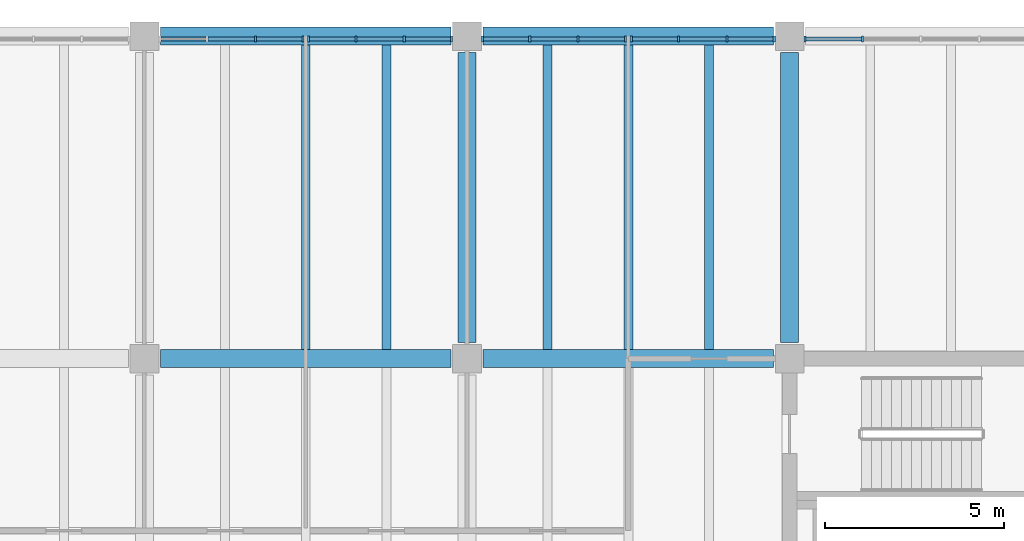
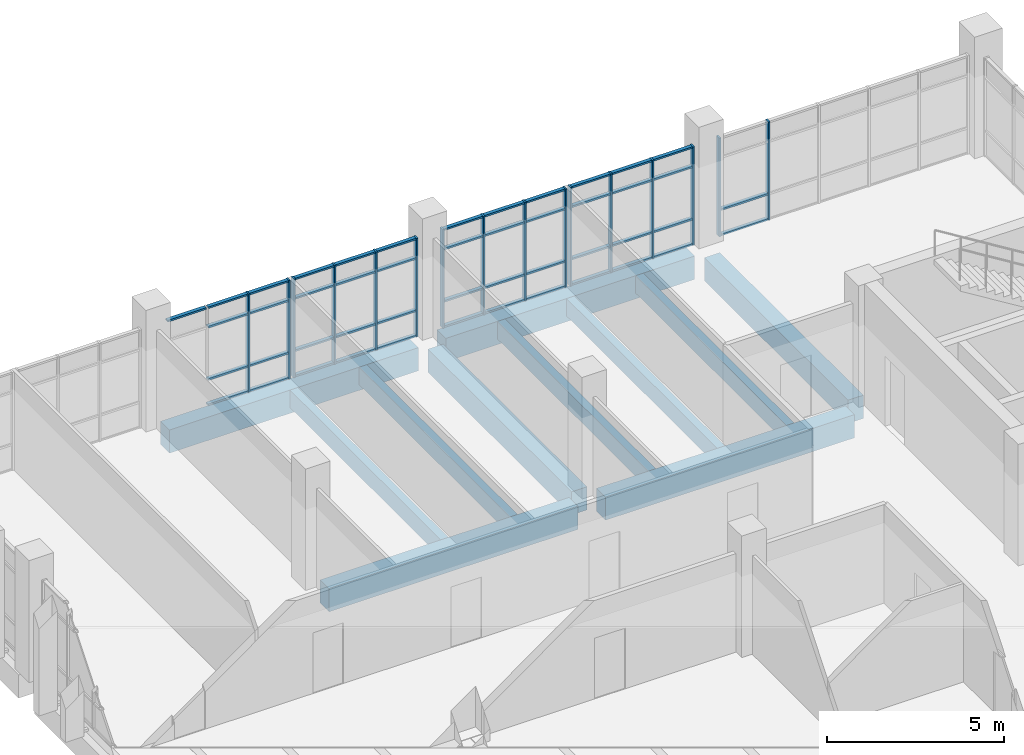
# One storey, part 19 of 50: 63 members, 11 beams, 5 elements without a shape of their own.
"""IFC4 building model written with IfcOpenShell, lengths in metres."""

from ifc_helpers import new_model, si_unit, direction, frame, origin, origin_2d, place, context, subcontext, project, spatial, rectangle, extrude, material, material_profile, profile_set, type_object, element, aggregate, save


model = new_model("IFC4")

# Units and contexts
model_context = context("Model", 3, precision=1e-05, world=origin(), true_north=direction((0.0, 1.0)))
body_context = subcontext(model_context, "Body", "Model", "MODEL_VIEW")
ifc_project = project(units=[si_unit("LENGTHUNIT", "METRE"), si_unit("AREAUNIT", "SQUARE_METRE"), si_unit("VOLUMEUNIT", "CUBIC_METRE"), si_unit("PLANEANGLEUNIT", "RADIAN"), si_unit("MASSUNIT", "GRAM", prefix="KILO")], contexts=[model_context])

# Site, building, storey
site_placement = place(None, origin())
site = spatial("IfcSite", under=ifc_project, at=site_placement, CompositionType="ELEMENT")
building_placement = place(site_placement, origin())
building = spatial("IfcBuilding", under=site, at=building_placement, Name="Merrow Basin Faculty of Sciences", CompositionType="ELEMENT")
storey_placement = place(building_placement, frame((0.0, 0.0, 18.0)))
storey = spatial("IfcBuildingStorey", under=building, at=storey_placement, Name="L04", CompositionType="ELEMENT", Elevation=18.0)

# Curtain wall, members
ifc_material_1 = material(Name="Aluminium alloy 6063", Category="aluminium")
curtain_wall_type = type_object("IfcCurtainWallType", Name="Unitised curtain wall 160", PredefinedType="NOTDEFINED", material=ifc_material_1)
curtain_wall_1_placement = place(storey_placement, origin())
curtain_wall_1 = element("IfcCurtainWall", 1, at=curtain_wall_1_placement, inside=storey, type_object=curtain_wall_type, Name="N curtain wall L04 3", PredefinedType="NOTDEFINED")
ifc_material_2 = material(Name="Aluminium alloy 6063", Category="aluminium")
ifc_material_profile_1 = material_profile(ifc_material_2, rectangle(XDim=0.159912109375, YDim=0.06005859375, at=origin_2d()))
ifc_profile_set_1 = profile_set([ifc_material_profile_1], Name="Aluminium alloy 6063")
member_type_1 = type_object("IfcMemberType", Name="Aluminium mullion 60x160", PredefinedType="MULLION", material=ifc_profile_set_1)
member_1_placement = place(storey_placement, frame((30.10009765625, 168.919921875, 0.0), z_axis=(0.0, 0.0, 1.0), x_axis=(0.0, 1.0, 0.0)))
member_1 = element("IfcMember", 2, at=member_1_placement, type_object=member_type_1, Name="CW3 mullion 3", PredefinedType="MULLION", context=body_context, shape_type="SweptSolid", body=[
    extrude(rectangle(XDim=0.159912109375, YDim=0.06005859375, at=origin_2d()), origin(), (0.0, 0.0, 1.0), 3.39990234375),
])
member_2_placement = place(storey_placement, frame((31.419921875, 168.919921875, 0.0), z_axis=(0.0, 0.0, 1.0), x_axis=(0.0, 1.0, 0.0)))
member_2 = element("IfcMember", 3, at=member_2_placement, type_object=member_type_1, Name="CW3 mullion 4", PredefinedType="MULLION", context=body_context, shape_type="SweptSolid", body=[
    extrude(rectangle(XDim=0.159912109375, YDim=0.06005859375, at=origin_2d()), origin(), (0.0, 0.0, 1.0), 3.39990234375),
])

curtain_wall_2_placement = place(storey_placement, origin())
curtain_wall_2 = element("IfcCurtainWall", 4, at=curtain_wall_2_placement, inside=storey, type_object=curtain_wall_type, Name="N curtain wall L04 4", PredefinedType="NOTDEFINED")
member_3_placement = place(storey_placement, frame((31.580078125, 168.919921875, 0.0), z_axis=(0.0, 0.0, 1.0), x_axis=(0.0, 1.0, 0.0)))
member_3 = element("IfcMember", 5, at=member_3_placement, type_object=member_type_1, Name="CW3 mullion 1", PredefinedType="MULLION", context=body_context, shape_type="SweptSolid", body=[
    extrude(rectangle(XDim=0.159912109375, YDim=0.06005859375, at=origin_2d()), origin(), (0.0, 0.0, 1.0), 3.39990234375),
])
member_4_placement = place(storey_placement, frame((32.89990234375, 168.919921875, 0.0), z_axis=(0.0, 0.0, 1.0), x_axis=(0.0, 1.0, 0.0)))
member_4 = element("IfcMember", 6, at=member_4_placement, type_object=member_type_1, Name="CW3 mullion 2", PredefinedType="MULLION", context=body_context, shape_type="SweptSolid", body=[
    extrude(rectangle(XDim=0.159912109375, YDim=0.06005859375, at=origin_2d()), origin(), (0.0, 0.0, 1.0), 3.39990234375),
])
member_5_placement = place(storey_placement, frame((34.25, 168.919921875, 0.0), z_axis=(0.0, 0.0, 1.0), x_axis=(0.0, 1.0, 0.0)))
member_5 = element("IfcMember", 7, at=member_5_placement, type_object=member_type_1, Name="CW3 mullion 3", PredefinedType="MULLION", context=body_context, shape_type="SweptSolid", body=[
    extrude(rectangle(XDim=0.159912109375, YDim=0.06005859375, at=origin_2d()), origin(), (0.0, 0.0, 1.0), 3.39990234375),
])
member_6_placement = place(storey_placement, frame((35.570068359375, 168.919921875, 0.0), z_axis=(0.0, 0.0, 1.0), x_axis=(0.0, 1.0, 0.0)))
member_6 = element("IfcMember", 8, at=member_6_placement, type_object=member_type_1, Name="CW3 mullion 4", PredefinedType="MULLION", context=body_context, shape_type="SweptSolid", body=[
    extrude(rectangle(XDim=0.159912109375, YDim=0.06005859375, at=origin_2d()), origin(), (0.0, 0.0, 1.0), 3.39990234375),
])

curtain_wall_3_placement = place(storey_placement, origin())
curtain_wall_3 = element("IfcCurtainWall", 9, at=curtain_wall_3_placement, inside=storey, type_object=curtain_wall_type, Name="N curtain wall L04 5", PredefinedType="NOTDEFINED")
member_7_placement = place(storey_placement, frame((36.429931640625, 168.919921875, 0.0), z_axis=(0.0, 0.0, 1.0), x_axis=(0.0, 1.0, 0.0)))
member_7 = element("IfcMember", 10, at=member_7_placement, type_object=member_type_1, Name="CW3 mullion 1", PredefinedType="MULLION", context=body_context, shape_type="SweptSolid", body=[
    extrude(rectangle(XDim=0.159912109375, YDim=0.06005859375, at=origin_2d()), origin(), (0.0, 0.0, 1.0), 3.39990234375),
])
member_8_placement = place(storey_placement, frame((37.75, 168.919921875, 0.0), z_axis=(0.0, 0.0, 1.0), x_axis=(0.0, 1.0, 0.0)))
member_8 = element("IfcMember", 11, at=member_8_placement, type_object=member_type_1, Name="CW3 mullion 2", PredefinedType="MULLION", context=body_context, shape_type="SweptSolid", body=[
    extrude(rectangle(XDim=0.159912109375, YDim=0.06005859375, at=origin_2d()), origin(), (0.0, 0.0, 1.0), 3.39990234375),
])
member_9_placement = place(storey_placement, frame((39.10009765625, 168.919921875, 0.0), z_axis=(0.0, 0.0, 1.0), x_axis=(0.0, 1.0, 0.0)))
member_9 = element("IfcMember", 12, at=member_9_placement, type_object=member_type_1, Name="CW3 mullion 3", PredefinedType="MULLION", context=body_context, shape_type="SweptSolid", body=[
    extrude(rectangle(XDim=0.159912109375, YDim=0.06005859375, at=origin_2d()), origin(), (0.0, 0.0, 1.0), 3.39990234375),
])
member_10_placement = place(storey_placement, frame((40.419921875, 168.919921875, 0.0), z_axis=(0.0, 0.0, 1.0), x_axis=(0.0, 1.0, 0.0)))
member_10 = element("IfcMember", 13, at=member_10_placement, type_object=member_type_1, Name="CW3 mullion 4", PredefinedType="MULLION", context=body_context, shape_type="SweptSolid", body=[
    extrude(rectangle(XDim=0.159912109375, YDim=0.06005859375, at=origin_2d()), origin(), (0.0, 0.0, 1.0), 3.39990234375),
])

curtain_wall_4_placement = place(storey_placement, origin())
curtain_wall_4 = element("IfcCurtainWall", 14, at=curtain_wall_4_placement, inside=storey, type_object=curtain_wall_type, Name="N curtain wall L04 6", PredefinedType="NOTDEFINED")
member_11_placement = place(storey_placement, frame((40.580078125, 168.919921875, 0.0), z_axis=(0.0, 0.0, 1.0), x_axis=(0.0, 1.0, 0.0)))
member_11 = element("IfcMember", 15, at=member_11_placement, type_object=member_type_1, Name="CW3 mullion 1", PredefinedType="MULLION", context=body_context, shape_type="SweptSolid", body=[
    extrude(rectangle(XDim=0.159912109375, YDim=0.06005859375, at=origin_2d()), origin(), (0.0, 0.0, 1.0), 3.39990234375),
])
member_12_placement = place(storey_placement, frame((41.89990234375, 168.919921875, 0.0), z_axis=(0.0, 0.0, 1.0), x_axis=(0.0, 1.0, 0.0)))
member_12 = element("IfcMember", 16, at=member_12_placement, type_object=member_type_1, Name="CW3 mullion 2", PredefinedType="MULLION", context=body_context, shape_type="SweptSolid", body=[
    extrude(rectangle(XDim=0.159912109375, YDim=0.06005859375, at=origin_2d()), origin(), (0.0, 0.0, 1.0), 3.39990234375),
])
member_13_placement = place(storey_placement, frame((43.25, 168.919921875, 0.0), z_axis=(0.0, 0.0, 1.0), x_axis=(0.0, 1.0, 0.0)))
member_13 = element("IfcMember", 17, at=member_13_placement, type_object=member_type_1, Name="CW3 mullion 3", PredefinedType="MULLION", context=body_context, shape_type="SweptSolid", body=[
    extrude(rectangle(XDim=0.159912109375, YDim=0.06005859375, at=origin_2d()), origin(), (0.0, 0.0, 1.0), 3.39990234375),
])
member_14_placement = place(storey_placement, frame((44.570068359375, 168.919921875, 0.0), z_axis=(0.0, 0.0, 1.0), x_axis=(0.0, 1.0, 0.0)))
member_14 = element("IfcMember", 18, at=member_14_placement, type_object=member_type_1, Name="CW3 mullion 4", PredefinedType="MULLION", context=body_context, shape_type="SweptSolid", body=[
    extrude(rectangle(XDim=0.159912109375, YDim=0.06005859375, at=origin_2d()), origin(), (0.0, 0.0, 1.0), 3.39990234375),
])

curtain_wall_5_placement = place(storey_placement, origin())
curtain_wall_5 = element("IfcCurtainWall", 19, at=curtain_wall_5_placement, inside=storey, type_object=curtain_wall_type, Name="N curtain wall L04 7", PredefinedType="NOTDEFINED")
member_15_placement = place(storey_placement, frame((45.429931640625, 168.919921875, 0.0), z_axis=(0.0, 0.0, 1.0), x_axis=(0.0, 1.0, 0.0)))
member_15 = element("IfcMember", 20, at=member_15_placement, type_object=member_type_1, Name="CW3 mullion 1", PredefinedType="MULLION", context=body_context, shape_type="SweptSolid", body=[
    extrude(rectangle(XDim=0.159912109375, YDim=0.06005859375, at=origin_2d()), origin(), (0.0, 0.0, 1.0), 3.39990234375),
])
member_16_placement = place(storey_placement, frame((47.030029296875, 168.919921875, 0.0), z_axis=(0.0, 0.0, 1.0), x_axis=(0.0, 1.0, 0.0)))
member_16 = element("IfcMember", 21, at=member_16_placement, type_object=member_type_1, Name="CW3 mullion 2", PredefinedType="MULLION", context=body_context, shape_type="SweptSolid", body=[
    extrude(rectangle(XDim=0.159912109375, YDim=0.06005859375, at=origin_2d()), origin(), (0.0, 0.0, 1.0), 3.39990234375),
])

# Member
ifc_material_3 = material(Name="Aluminium alloy 6063", Category="aluminium")
ifc_material_profile_2 = material_profile(ifc_material_3, rectangle(XDim=0.1201171875, YDim=0.06005859375, at=origin_2d()))
ifc_profile_set_2 = profile_set([ifc_material_profile_2], Name="Aluminium alloy 6063")
member_type_2 = type_object("IfcMemberType", Name="Aluminium transom 60x120", PredefinedType="USERDEFINED", material=ifc_profile_set_2)
member_17_placement = place(storey_placement, frame((27.4599609375, 168.919921875, 3.3701171875), z_axis=(1.0, 0.0, 0.0), x_axis=(0.0, 1.0, 0.0)))
member_17 = element("IfcMember", 22, at=member_17_placement, type_object=member_type_2, Name="CW3 transom 1.4", ObjectType="TRANSOM", PredefinedType="USERDEFINED", context=body_context, shape_type="SweptSolid", body=[
    extrude(rectangle(XDim=0.1201171875, YDim=0.06005859375, at=origin_2d()), origin(), (0.0, 0.0, 1.0), 1.260009765625),
])

member_18_placement = place(storey_placement, frame((28.780029296875, 168.919921875, 0.030029296875), z_axis=(1.0, 0.0, 0.0), x_axis=(0.0, 1.0, 0.0)))
member_18 = element("IfcMember", 23, at=member_18_placement, type_object=member_type_2, Name="CW3 transom 2.1", ObjectType="TRANSOM", PredefinedType="USERDEFINED", context=body_context, shape_type="SweptSolid", body=[
    extrude(rectangle(XDim=0.1201171875, YDim=0.06005859375, at=origin_2d()), origin(), (0.0, 0.0, 1.0), 1.2900390625),
])

member_19_placement = place(storey_placement, frame((28.780029296875, 168.919921875, 0.89990234375), z_axis=(1.0, 0.0, 0.0), x_axis=(0.0, 1.0, 0.0)))
member_19 = element("IfcMember", 24, at=member_19_placement, type_object=member_type_2, Name="CW3 transom 2.2", ObjectType="TRANSOM", PredefinedType="USERDEFINED", context=body_context, shape_type="SweptSolid", body=[
    extrude(rectangle(XDim=0.1201171875, YDim=0.06005859375, at=origin_2d()), origin(), (0.0, 0.0, 1.0), 1.2900390625),
])

member_20_placement = place(storey_placement, frame((28.780029296875, 168.919921875, 2.699951171875), z_axis=(1.0, 0.0, 0.0), x_axis=(0.0, 1.0, 0.0)))
member_20 = element("IfcMember", 25, at=member_20_placement, type_object=member_type_2, Name="CW3 transom 2.3", ObjectType="TRANSOM", PredefinedType="USERDEFINED", context=body_context, shape_type="SweptSolid", body=[
    extrude(rectangle(XDim=0.1201171875, YDim=0.06005859375, at=origin_2d()), origin(), (0.0, 0.0, 1.0), 1.2900390625),
])

member_21_placement = place(storey_placement, frame((28.780029296875, 168.919921875, 3.3701171875), z_axis=(1.0, 0.0, 0.0), x_axis=(0.0, 1.0, 0.0)))
member_21 = element("IfcMember", 26, at=member_21_placement, type_object=member_type_2, Name="CW3 transom 2.4", ObjectType="TRANSOM", PredefinedType="USERDEFINED", context=body_context, shape_type="SweptSolid", body=[
    extrude(rectangle(XDim=0.1201171875, YDim=0.06005859375, at=origin_2d()), origin(), (0.0, 0.0, 1.0), 1.2900390625),
])

member_22_placement = place(storey_placement, frame((30.1298828125, 168.919921875, 0.030029296875), z_axis=(1.0, 0.0, 0.0), x_axis=(0.0, 1.0, 0.0)))
member_22 = element("IfcMember", 27, at=member_22_placement, type_object=member_type_2, Name="CW3 transom 3.1", ObjectType="TRANSOM", PredefinedType="USERDEFINED", context=body_context, shape_type="SweptSolid", body=[
    extrude(rectangle(XDim=0.1201171875, YDim=0.06005859375, at=origin_2d()), origin(), (0.0, 0.0, 1.0), 1.260009765625),
])

member_23_placement = place(storey_placement, frame((30.1298828125, 168.919921875, 0.89990234375), z_axis=(1.0, 0.0, 0.0), x_axis=(0.0, 1.0, 0.0)))
member_23 = element("IfcMember", 28, at=member_23_placement, type_object=member_type_2, Name="CW3 transom 3.2", ObjectType="TRANSOM", PredefinedType="USERDEFINED", context=body_context, shape_type="SweptSolid", body=[
    extrude(rectangle(XDim=0.1201171875, YDim=0.06005859375, at=origin_2d()), origin(), (0.0, 0.0, 1.0), 1.260009765625),
])

member_24_placement = place(storey_placement, frame((30.1298828125, 168.919921875, 2.699951171875), z_axis=(1.0, 0.0, 0.0), x_axis=(0.0, 1.0, 0.0)))
member_24 = element("IfcMember", 29, at=member_24_placement, type_object=member_type_2, Name="CW3 transom 3.3", ObjectType="TRANSOM", PredefinedType="USERDEFINED", context=body_context, shape_type="SweptSolid", body=[
    extrude(rectangle(XDim=0.1201171875, YDim=0.06005859375, at=origin_2d()), origin(), (0.0, 0.0, 1.0), 1.260009765625),
])

member_25_placement = place(storey_placement, frame((30.1298828125, 168.919921875, 3.3701171875), z_axis=(1.0, 0.0, 0.0), x_axis=(0.0, 1.0, 0.0)))
member_25 = element("IfcMember", 30, at=member_25_placement, type_object=member_type_2, Name="CW3 transom 3.4", ObjectType="TRANSOM", PredefinedType="USERDEFINED", context=body_context, shape_type="SweptSolid", body=[
    extrude(rectangle(XDim=0.1201171875, YDim=0.06005859375, at=origin_2d()), origin(), (0.0, 0.0, 1.0), 1.260009765625),
])

aggregate(curtain_wall_1, [member_1, member_2, member_17, member_18, member_19, member_20, member_21, member_22, member_23, member_24, member_25])

member_26_placement = place(storey_placement, frame((31.610107421875, 168.919921875, 0.030029296875), z_axis=(1.0, 0.0, 0.0), x_axis=(0.0, 1.0, 0.0)))
member_26 = element("IfcMember", 31, at=member_26_placement, type_object=member_type_2, Name="CW3 transom 1.1", ObjectType="TRANSOM", PredefinedType="USERDEFINED", context=body_context, shape_type="SweptSolid", body=[
    extrude(rectangle(XDim=0.1201171875, YDim=0.06005859375, at=origin_2d()), origin(), (0.0, 0.0, 1.0), 1.260009765625),
])

member_27_placement = place(storey_placement, frame((31.610107421875, 168.919921875, 0.89990234375), z_axis=(1.0, 0.0, 0.0), x_axis=(0.0, 1.0, 0.0)))
member_27 = element("IfcMember", 32, at=member_27_placement, type_object=member_type_2, Name="CW3 transom 1.2", ObjectType="TRANSOM", PredefinedType="USERDEFINED", context=body_context, shape_type="SweptSolid", body=[
    extrude(rectangle(XDim=0.1201171875, YDim=0.06005859375, at=origin_2d()), origin(), (0.0, 0.0, 1.0), 1.260009765625),
])

member_28_placement = place(storey_placement, frame((31.610107421875, 168.919921875, 2.699951171875), z_axis=(1.0, 0.0, 0.0), x_axis=(0.0, 1.0, 0.0)))
member_28 = element("IfcMember", 33, at=member_28_placement, type_object=member_type_2, Name="CW3 transom 1.3", ObjectType="TRANSOM", PredefinedType="USERDEFINED", context=body_context, shape_type="SweptSolid", body=[
    extrude(rectangle(XDim=0.1201171875, YDim=0.06005859375, at=origin_2d()), origin(), (0.0, 0.0, 1.0), 1.260009765625),
])

member_29_placement = place(storey_placement, frame((31.610107421875, 168.919921875, 3.3701171875), z_axis=(1.0, 0.0, 0.0), x_axis=(0.0, 1.0, 0.0)))
member_29 = element("IfcMember", 34, at=member_29_placement, type_object=member_type_2, Name="CW3 transom 1.4", ObjectType="TRANSOM", PredefinedType="USERDEFINED", context=body_context, shape_type="SweptSolid", body=[
    extrude(rectangle(XDim=0.1201171875, YDim=0.06005859375, at=origin_2d()), origin(), (0.0, 0.0, 1.0), 1.260009765625),
])

member_30_placement = place(storey_placement, frame((32.929931640625, 168.919921875, 0.030029296875), z_axis=(1.0, 0.0, 0.0), x_axis=(0.0, 1.0, 0.0)))
member_30 = element("IfcMember", 35, at=member_30_placement, type_object=member_type_2, Name="CW3 transom 2.1", ObjectType="TRANSOM", PredefinedType="USERDEFINED", context=body_context, shape_type="SweptSolid", body=[
    extrude(rectangle(XDim=0.1201171875, YDim=0.06005859375, at=origin_2d()), origin(), (0.0, 0.0, 1.0), 1.2900390625),
])

member_31_placement = place(storey_placement, frame((32.929931640625, 168.919921875, 0.89990234375), z_axis=(1.0, 0.0, 0.0), x_axis=(0.0, 1.0, 0.0)))
member_31 = element("IfcMember", 36, at=member_31_placement, type_object=member_type_2, Name="CW3 transom 2.2", ObjectType="TRANSOM", PredefinedType="USERDEFINED", context=body_context, shape_type="SweptSolid", body=[
    extrude(rectangle(XDim=0.1201171875, YDim=0.06005859375, at=origin_2d()), origin(), (0.0, 0.0, 1.0), 1.2900390625),
])

member_32_placement = place(storey_placement, frame((32.929931640625, 168.919921875, 2.699951171875), z_axis=(1.0, 0.0, 0.0), x_axis=(0.0, 1.0, 0.0)))
member_32 = element("IfcMember", 37, at=member_32_placement, type_object=member_type_2, Name="CW3 transom 2.3", ObjectType="TRANSOM", PredefinedType="USERDEFINED", context=body_context, shape_type="SweptSolid", body=[
    extrude(rectangle(XDim=0.1201171875, YDim=0.06005859375, at=origin_2d()), origin(), (0.0, 0.0, 1.0), 1.2900390625),
])

member_33_placement = place(storey_placement, frame((32.929931640625, 168.919921875, 3.3701171875), z_axis=(1.0, 0.0, 0.0), x_axis=(0.0, 1.0, 0.0)))
member_33 = element("IfcMember", 38, at=member_33_placement, type_object=member_type_2, Name="CW3 transom 2.4", ObjectType="TRANSOM", PredefinedType="USERDEFINED", context=body_context, shape_type="SweptSolid", body=[
    extrude(rectangle(XDim=0.1201171875, YDim=0.06005859375, at=origin_2d()), origin(), (0.0, 0.0, 1.0), 1.2900390625),
])

member_34_placement = place(storey_placement, frame((34.280029296875, 168.919921875, 0.030029296875), z_axis=(1.0, 0.0, 0.0), x_axis=(0.0, 1.0, 0.0)))
member_34 = element("IfcMember", 39, at=member_34_placement, type_object=member_type_2, Name="CW3 transom 3.1", ObjectType="TRANSOM", PredefinedType="USERDEFINED", context=body_context, shape_type="SweptSolid", body=[
    extrude(rectangle(XDim=0.1201171875, YDim=0.06005859375, at=origin_2d()), origin(), (0.0, 0.0, 1.0), 1.260009765625),
])

member_35_placement = place(storey_placement, frame((34.280029296875, 168.919921875, 0.89990234375), z_axis=(1.0, 0.0, 0.0), x_axis=(0.0, 1.0, 0.0)))
member_35 = element("IfcMember", 40, at=member_35_placement, type_object=member_type_2, Name="CW3 transom 3.2", ObjectType="TRANSOM", PredefinedType="USERDEFINED", context=body_context, shape_type="SweptSolid", body=[
    extrude(rectangle(XDim=0.1201171875, YDim=0.06005859375, at=origin_2d()), origin(), (0.0, 0.0, 1.0), 1.260009765625),
])

member_36_placement = place(storey_placement, frame((34.280029296875, 168.919921875, 2.699951171875), z_axis=(1.0, 0.0, 0.0), x_axis=(0.0, 1.0, 0.0)))
member_36 = element("IfcMember", 41, at=member_36_placement, type_object=member_type_2, Name="CW3 transom 3.3", ObjectType="TRANSOM", PredefinedType="USERDEFINED", context=body_context, shape_type="SweptSolid", body=[
    extrude(rectangle(XDim=0.1201171875, YDim=0.06005859375, at=origin_2d()), origin(), (0.0, 0.0, 1.0), 1.260009765625),
])

member_37_placement = place(storey_placement, frame((34.280029296875, 168.919921875, 3.3701171875), z_axis=(1.0, 0.0, 0.0), x_axis=(0.0, 1.0, 0.0)))
member_37 = element("IfcMember", 42, at=member_37_placement, type_object=member_type_2, Name="CW3 transom 3.4", ObjectType="TRANSOM", PredefinedType="USERDEFINED", context=body_context, shape_type="SweptSolid", body=[
    extrude(rectangle(XDim=0.1201171875, YDim=0.06005859375, at=origin_2d()), origin(), (0.0, 0.0, 1.0), 1.260009765625),
])

aggregate(curtain_wall_2, [member_3, member_4, member_5, member_6, member_26, member_27, member_28, member_29, member_30, member_31, member_32, member_33, member_34, member_35, member_36, member_37])

member_38_placement = place(storey_placement, frame((36.4599609375, 168.919921875, 0.030029296875), z_axis=(1.0, 0.0, 0.0), x_axis=(0.0, 1.0, 0.0)))
member_38 = element("IfcMember", 43, at=member_38_placement, type_object=member_type_2, Name="CW3 transom 1.1", ObjectType="TRANSOM", PredefinedType="USERDEFINED", context=body_context, shape_type="SweptSolid", body=[
    extrude(rectangle(XDim=0.1201171875, YDim=0.06005859375, at=origin_2d()), origin(), (0.0, 0.0, 1.0), 1.260009765625),
])

member_39_placement = place(storey_placement, frame((36.4599609375, 168.919921875, 0.89990234375), z_axis=(1.0, 0.0, 0.0), x_axis=(0.0, 1.0, 0.0)))
member_39 = element("IfcMember", 44, at=member_39_placement, type_object=member_type_2, Name="CW3 transom 1.2", ObjectType="TRANSOM", PredefinedType="USERDEFINED", context=body_context, shape_type="SweptSolid", body=[
    extrude(rectangle(XDim=0.1201171875, YDim=0.06005859375, at=origin_2d()), origin(), (0.0, 0.0, 1.0), 1.260009765625),
])

member_40_placement = place(storey_placement, frame((36.4599609375, 168.919921875, 2.699951171875), z_axis=(1.0, 0.0, 0.0), x_axis=(0.0, 1.0, 0.0)))
member_40 = element("IfcMember", 45, at=member_40_placement, type_object=member_type_2, Name="CW3 transom 1.3", ObjectType="TRANSOM", PredefinedType="USERDEFINED", context=body_context, shape_type="SweptSolid", body=[
    extrude(rectangle(XDim=0.1201171875, YDim=0.06005859375, at=origin_2d()), origin(), (0.0, 0.0, 1.0), 1.260009765625),
])

member_41_placement = place(storey_placement, frame((36.4599609375, 168.919921875, 3.3701171875), z_axis=(1.0, 0.0, 0.0), x_axis=(0.0, 1.0, 0.0)))
member_41 = element("IfcMember", 46, at=member_41_placement, type_object=member_type_2, Name="CW3 transom 1.4", ObjectType="TRANSOM", PredefinedType="USERDEFINED", context=body_context, shape_type="SweptSolid", body=[
    extrude(rectangle(XDim=0.1201171875, YDim=0.06005859375, at=origin_2d()), origin(), (0.0, 0.0, 1.0), 1.260009765625),
])

member_42_placement = place(storey_placement, frame((37.780029296875, 168.919921875, 0.030029296875), z_axis=(1.0, 0.0, 0.0), x_axis=(0.0, 1.0, 0.0)))
member_42 = element("IfcMember", 47, at=member_42_placement, type_object=member_type_2, Name="CW3 transom 2.1", ObjectType="TRANSOM", PredefinedType="USERDEFINED", context=body_context, shape_type="SweptSolid", body=[
    extrude(rectangle(XDim=0.1201171875, YDim=0.06005859375, at=origin_2d()), origin(), (0.0, 0.0, 1.0), 1.2900390625),
])

member_43_placement = place(storey_placement, frame((37.780029296875, 168.919921875, 0.89990234375), z_axis=(1.0, 0.0, 0.0), x_axis=(0.0, 1.0, 0.0)))
member_43 = element("IfcMember", 48, at=member_43_placement, type_object=member_type_2, Name="CW3 transom 2.2", ObjectType="TRANSOM", PredefinedType="USERDEFINED", context=body_context, shape_type="SweptSolid", body=[
    extrude(rectangle(XDim=0.1201171875, YDim=0.06005859375, at=origin_2d()), origin(), (0.0, 0.0, 1.0), 1.2900390625),
])

member_44_placement = place(storey_placement, frame((37.780029296875, 168.919921875, 2.699951171875), z_axis=(1.0, 0.0, 0.0), x_axis=(0.0, 1.0, 0.0)))
member_44 = element("IfcMember", 49, at=member_44_placement, type_object=member_type_2, Name="CW3 transom 2.3", ObjectType="TRANSOM", PredefinedType="USERDEFINED", context=body_context, shape_type="SweptSolid", body=[
    extrude(rectangle(XDim=0.1201171875, YDim=0.06005859375, at=origin_2d()), origin(), (0.0, 0.0, 1.0), 1.2900390625),
])

member_45_placement = place(storey_placement, frame((37.780029296875, 168.919921875, 3.3701171875), z_axis=(1.0, 0.0, 0.0), x_axis=(0.0, 1.0, 0.0)))
member_45 = element("IfcMember", 50, at=member_45_placement, type_object=member_type_2, Name="CW3 transom 2.4", ObjectType="TRANSOM", PredefinedType="USERDEFINED", context=body_context, shape_type="SweptSolid", body=[
    extrude(rectangle(XDim=0.1201171875, YDim=0.06005859375, at=origin_2d()), origin(), (0.0, 0.0, 1.0), 1.2900390625),
])

member_46_placement = place(storey_placement, frame((39.1298828125, 168.919921875, 0.030029296875), z_axis=(1.0, 0.0, 0.0), x_axis=(0.0, 1.0, 0.0)))
member_46 = element("IfcMember", 51, at=member_46_placement, type_object=member_type_2, Name="CW3 transom 3.1", ObjectType="TRANSOM", PredefinedType="USERDEFINED", context=body_context, shape_type="SweptSolid", body=[
    extrude(rectangle(XDim=0.1201171875, YDim=0.06005859375, at=origin_2d()), origin(), (0.0, 0.0, 1.0), 1.260009765625),
])

member_47_placement = place(storey_placement, frame((39.1298828125, 168.919921875, 0.89990234375), z_axis=(1.0, 0.0, 0.0), x_axis=(0.0, 1.0, 0.0)))
member_47 = element("IfcMember", 52, at=member_47_placement, type_object=member_type_2, Name="CW3 transom 3.2", ObjectType="TRANSOM", PredefinedType="USERDEFINED", context=body_context, shape_type="SweptSolid", body=[
    extrude(rectangle(XDim=0.1201171875, YDim=0.06005859375, at=origin_2d()), origin(), (0.0, 0.0, 1.0), 1.260009765625),
])

member_48_placement = place(storey_placement, frame((39.1298828125, 168.919921875, 2.699951171875), z_axis=(1.0, 0.0, 0.0), x_axis=(0.0, 1.0, 0.0)))
member_48 = element("IfcMember", 53, at=member_48_placement, type_object=member_type_2, Name="CW3 transom 3.3", ObjectType="TRANSOM", PredefinedType="USERDEFINED", context=body_context, shape_type="SweptSolid", body=[
    extrude(rectangle(XDim=0.1201171875, YDim=0.06005859375, at=origin_2d()), origin(), (0.0, 0.0, 1.0), 1.260009765625),
])

member_49_placement = place(storey_placement, frame((39.1298828125, 168.919921875, 3.3701171875), z_axis=(1.0, 0.0, 0.0), x_axis=(0.0, 1.0, 0.0)))
member_49 = element("IfcMember", 54, at=member_49_placement, type_object=member_type_2, Name="CW3 transom 3.4", ObjectType="TRANSOM", PredefinedType="USERDEFINED", context=body_context, shape_type="SweptSolid", body=[
    extrude(rectangle(XDim=0.1201171875, YDim=0.06005859375, at=origin_2d()), origin(), (0.0, 0.0, 1.0), 1.260009765625),
])

aggregate(curtain_wall_3, [member_7, member_8, member_9, member_10, member_38, member_39, member_40, member_41, member_42, member_43, member_44, member_45, member_46, member_47, member_48, member_49])

member_50_placement = place(storey_placement, frame((40.610107421875, 168.919921875, 0.030029296875), z_axis=(1.0, 0.0, 0.0), x_axis=(0.0, 1.0, 0.0)))
member_50 = element("IfcMember", 55, at=member_50_placement, type_object=member_type_2, Name="CW3 transom 1.1", ObjectType="TRANSOM", PredefinedType="USERDEFINED", context=body_context, shape_type="SweptSolid", body=[
    extrude(rectangle(XDim=0.1201171875, YDim=0.06005859375, at=origin_2d()), origin(), (0.0, 0.0, 1.0), 1.260009765625),
])

member_51_placement = place(storey_placement, frame((40.610107421875, 168.919921875, 0.89990234375), z_axis=(1.0, 0.0, 0.0), x_axis=(0.0, 1.0, 0.0)))
member_51 = element("IfcMember", 56, at=member_51_placement, type_object=member_type_2, Name="CW3 transom 1.2", ObjectType="TRANSOM", PredefinedType="USERDEFINED", context=body_context, shape_type="SweptSolid", body=[
    extrude(rectangle(XDim=0.1201171875, YDim=0.06005859375, at=origin_2d()), origin(), (0.0, 0.0, 1.0), 1.260009765625),
])

member_52_placement = place(storey_placement, frame((40.610107421875, 168.919921875, 2.699951171875), z_axis=(1.0, 0.0, 0.0), x_axis=(0.0, 1.0, 0.0)))
member_52 = element("IfcMember", 57, at=member_52_placement, type_object=member_type_2, Name="CW3 transom 1.3", ObjectType="TRANSOM", PredefinedType="USERDEFINED", context=body_context, shape_type="SweptSolid", body=[
    extrude(rectangle(XDim=0.1201171875, YDim=0.06005859375, at=origin_2d()), origin(), (0.0, 0.0, 1.0), 1.260009765625),
])

member_53_placement = place(storey_placement, frame((40.610107421875, 168.919921875, 3.3701171875), z_axis=(1.0, 0.0, 0.0), x_axis=(0.0, 1.0, 0.0)))
member_53 = element("IfcMember", 58, at=member_53_placement, type_object=member_type_2, Name="CW3 transom 1.4", ObjectType="TRANSOM", PredefinedType="USERDEFINED", context=body_context, shape_type="SweptSolid", body=[
    extrude(rectangle(XDim=0.1201171875, YDim=0.06005859375, at=origin_2d()), origin(), (0.0, 0.0, 1.0), 1.260009765625),
])

member_54_placement = place(storey_placement, frame((41.929931640625, 168.919921875, 0.030029296875), z_axis=(1.0, 0.0, 0.0), x_axis=(0.0, 1.0, 0.0)))
member_54 = element("IfcMember", 59, at=member_54_placement, type_object=member_type_2, Name="CW3 transom 2.1", ObjectType="TRANSOM", PredefinedType="USERDEFINED", context=body_context, shape_type="SweptSolid", body=[
    extrude(rectangle(XDim=0.1201171875, YDim=0.06005859375, at=origin_2d()), origin(), (0.0, 0.0, 1.0), 1.2900390625),
])

member_55_placement = place(storey_placement, frame((41.929931640625, 168.919921875, 0.89990234375), z_axis=(1.0, 0.0, 0.0), x_axis=(0.0, 1.0, 0.0)))
member_55 = element("IfcMember", 60, at=member_55_placement, type_object=member_type_2, Name="CW3 transom 2.2", ObjectType="TRANSOM", PredefinedType="USERDEFINED", context=body_context, shape_type="SweptSolid", body=[
    extrude(rectangle(XDim=0.1201171875, YDim=0.06005859375, at=origin_2d()), origin(), (0.0, 0.0, 1.0), 1.2900390625),
])

member_56_placement = place(storey_placement, frame((41.929931640625, 168.919921875, 2.699951171875), z_axis=(1.0, 0.0, 0.0), x_axis=(0.0, 1.0, 0.0)))
member_56 = element("IfcMember", 61, at=member_56_placement, type_object=member_type_2, Name="CW3 transom 2.3", ObjectType="TRANSOM", PredefinedType="USERDEFINED", context=body_context, shape_type="SweptSolid", body=[
    extrude(rectangle(XDim=0.1201171875, YDim=0.06005859375, at=origin_2d()), origin(), (0.0, 0.0, 1.0), 1.2900390625),
])

member_57_placement = place(storey_placement, frame((41.929931640625, 168.919921875, 3.3701171875), z_axis=(1.0, 0.0, 0.0), x_axis=(0.0, 1.0, 0.0)))
member_57 = element("IfcMember", 62, at=member_57_placement, type_object=member_type_2, Name="CW3 transom 2.4", ObjectType="TRANSOM", PredefinedType="USERDEFINED", context=body_context, shape_type="SweptSolid", body=[
    extrude(rectangle(XDim=0.1201171875, YDim=0.06005859375, at=origin_2d()), origin(), (0.0, 0.0, 1.0), 1.2900390625),
])

member_58_placement = place(storey_placement, frame((43.280029296875, 168.919921875, 0.030029296875), z_axis=(1.0, 0.0, 0.0), x_axis=(0.0, 1.0, 0.0)))
member_58 = element("IfcMember", 63, at=member_58_placement, type_object=member_type_2, Name="CW3 transom 3.1", ObjectType="TRANSOM", PredefinedType="USERDEFINED", context=body_context, shape_type="SweptSolid", body=[
    extrude(rectangle(XDim=0.1201171875, YDim=0.06005859375, at=origin_2d()), origin(), (0.0, 0.0, 1.0), 1.260009765625),
])

member_59_placement = place(storey_placement, frame((43.280029296875, 168.919921875, 0.89990234375), z_axis=(1.0, 0.0, 0.0), x_axis=(0.0, 1.0, 0.0)))
member_59 = element("IfcMember", 64, at=member_59_placement, type_object=member_type_2, Name="CW3 transom 3.2", ObjectType="TRANSOM", PredefinedType="USERDEFINED", context=body_context, shape_type="SweptSolid", body=[
    extrude(rectangle(XDim=0.1201171875, YDim=0.06005859375, at=origin_2d()), origin(), (0.0, 0.0, 1.0), 1.260009765625),
])

member_60_placement = place(storey_placement, frame((43.280029296875, 168.919921875, 2.699951171875), z_axis=(1.0, 0.0, 0.0), x_axis=(0.0, 1.0, 0.0)))
member_60 = element("IfcMember", 65, at=member_60_placement, type_object=member_type_2, Name="CW3 transom 3.3", ObjectType="TRANSOM", PredefinedType="USERDEFINED", context=body_context, shape_type="SweptSolid", body=[
    extrude(rectangle(XDim=0.1201171875, YDim=0.06005859375, at=origin_2d()), origin(), (0.0, 0.0, 1.0), 1.260009765625),
])

member_61_placement = place(storey_placement, frame((43.280029296875, 168.919921875, 3.3701171875), z_axis=(1.0, 0.0, 0.0), x_axis=(0.0, 1.0, 0.0)))
member_61 = element("IfcMember", 66, at=member_61_placement, type_object=member_type_2, Name="CW3 transom 3.4", ObjectType="TRANSOM", PredefinedType="USERDEFINED", context=body_context, shape_type="SweptSolid", body=[
    extrude(rectangle(XDim=0.1201171875, YDim=0.06005859375, at=origin_2d()), origin(), (0.0, 0.0, 1.0), 1.260009765625),
])

aggregate(curtain_wall_4, [member_11, member_12, member_13, member_14, member_50, member_51, member_52, member_53, member_54, member_55, member_56, member_57, member_58, member_59, member_60, member_61])

member_62_placement = place(storey_placement, frame((45.4599609375, 168.919921875, 0.030029296875), z_axis=(1.0, 0.0, 0.0), x_axis=(0.0, 1.0, 0.0)))
member_62 = element("IfcMember", 67, at=member_62_placement, type_object=member_type_2, Name="CW3 transom 1.1", ObjectType="TRANSOM", PredefinedType="USERDEFINED", context=body_context, shape_type="SweptSolid", body=[
    extrude(rectangle(XDim=0.1201171875, YDim=0.06005859375, at=origin_2d()), origin(), (0.0, 0.0, 1.0), 1.5400390625),
])

member_63_placement = place(storey_placement, frame((45.4599609375, 168.919921875, 0.89990234375), z_axis=(1.0, 0.0, 0.0), x_axis=(0.0, 1.0, 0.0)))
member_63 = element("IfcMember", 68, at=member_63_placement, type_object=member_type_2, Name="CW3 transom 1.2", ObjectType="TRANSOM", PredefinedType="USERDEFINED", context=body_context, shape_type="SweptSolid", body=[
    extrude(rectangle(XDim=0.1201171875, YDim=0.06005859375, at=origin_2d()), origin(), (0.0, 0.0, 1.0), 1.5400390625),
])

aggregate(curtain_wall_5, [member_15, member_16, member_62, member_63])

# Beams
ifc_material_4 = material(Name="Concrete C40/50", Category="concrete")
ifc_material_profile_3 = material_profile(ifc_material_4, rectangle(XDim=0.5, YDim=0.800048828125, at=origin_2d()))
ifc_profile_set_3 = profile_set([ifc_material_profile_3], Name="Concrete C40/50")
beam_type_1 = type_object("IfcBeamType", Name="Beam RC500x800 C40/50", PredefinedType="BEAM", material=ifc_profile_set_3)
for number, where, z_axis, x_axis, name in (
    (69, (27.449951171875, 160.0, -0.699951171875), (1.0, 0.0, 0.0), (0.0, 1.0, 0.0), "B4 L04 007"),
    (70, (36.449951171875, 160.0, -0.699951171875), (1.0, 0.0, 0.0), (0.0, 1.0, 0.0), "B4 L04 008"),
    (71, (27.449951171875, 169.0, -0.699951171875), (1.0, 0.0, 0.0), (0.0, 1.0, 0.0), "B4 L04 010"),
    (72, (36.449951171875, 169.0, -0.699951171875), (1.0, 0.0, 0.0), (0.0, 1.0, 0.0), "B4 L04 011"),
    (73, (36.0, 160.449951171875, -0.699951171875), (0.0, 1.0, 0.0), (-1.0, 0.0, 0.0), "B4 L04 019"),
    (74, (45.0, 160.449951171875, -0.699951171875), (0.0, 1.0, 0.0), (-1.0, 0.0, 0.0), "B4 L04 020"),
):
    element("IfcBeam", number, at=place(storey_placement, frame(where, z_axis=z_axis, x_axis=x_axis)), inside=storey, type_object=beam_type_1, Name=name, PredefinedType="BEAM", context=body_context, shape_type="SweptSolid", body=[
        extrude(rectangle(XDim=0.5, YDim=0.800048828125, at=origin_2d()), origin(), (0.0, 0.0, 1.0), 8.10009765625),
    ])
ifc_material_5 = material(Name="Concrete C40/50", Category="concrete")
ifc_material_profile_4 = material_profile(ifc_material_5, rectangle(XDim=0.25, YDim=0.60009765625, at=origin_2d()))
ifc_profile_set_4 = profile_set([ifc_material_profile_4], Name="Concrete C40/50")
beam_type_2 = type_object("IfcBeamType", Name="Tower floor joist RC250x600 C40/50", PredefinedType="BEAM", material=ifc_profile_set_4)
for number, where, z_axis, x_axis, name in (
    (75, (31.5, 160.25, -0.60009765625), (0.0, 1.0, 0.0), (-1.0, 0.0, 0.0), "JT1 L04 039"),
    (76, (33.75, 160.25, -0.60009765625), (0.0, 1.0, 0.0), (-1.0, 0.0, 0.0), "JT1 L04 040"),
    (77, (38.25, 160.25, -0.60009765625), (0.0, 1.0, 0.0), (-1.0, 0.0, 0.0), "JT1 L04 047"),
    (78, (40.5, 160.25, -0.60009765625), (0.0, 1.0, 0.0), (-1.0, 0.0, 0.0), "JT1 L04 048"),
    (79, (42.75, 160.25, -0.60009765625), (0.0, 1.0, 0.0), (-1.0, 0.0, 0.0), "JT1 L04 049"),
):
    element("IfcBeam", number, at=place(storey_placement, frame(where, z_axis=z_axis, x_axis=x_axis)), inside=storey, type_object=beam_type_2, Name=name, PredefinedType="BEAM", context=body_context, shape_type="SweptSolid", body=[
        extrude(rectangle(XDim=0.25, YDim=0.60009765625, at=origin_2d()), origin(), (0.0, 0.0, 1.0), 8.5),
    ])

save(model, "model.ifc")
